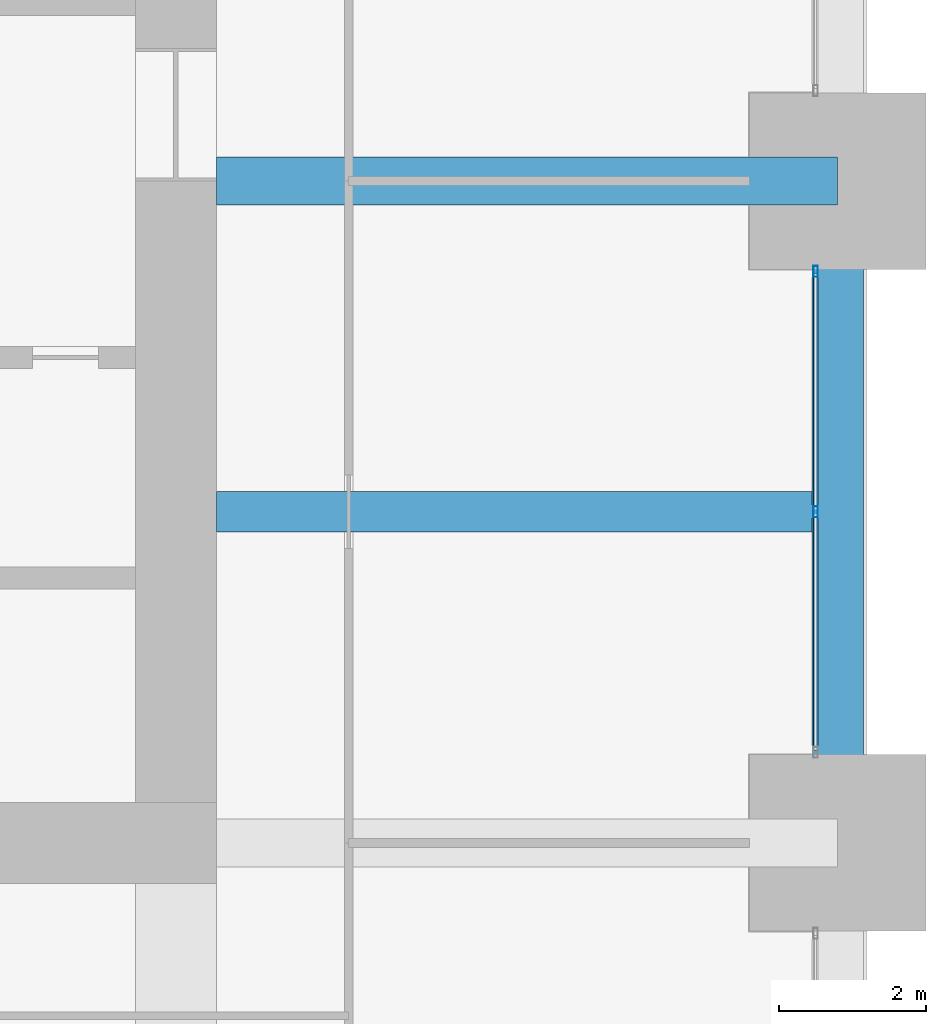
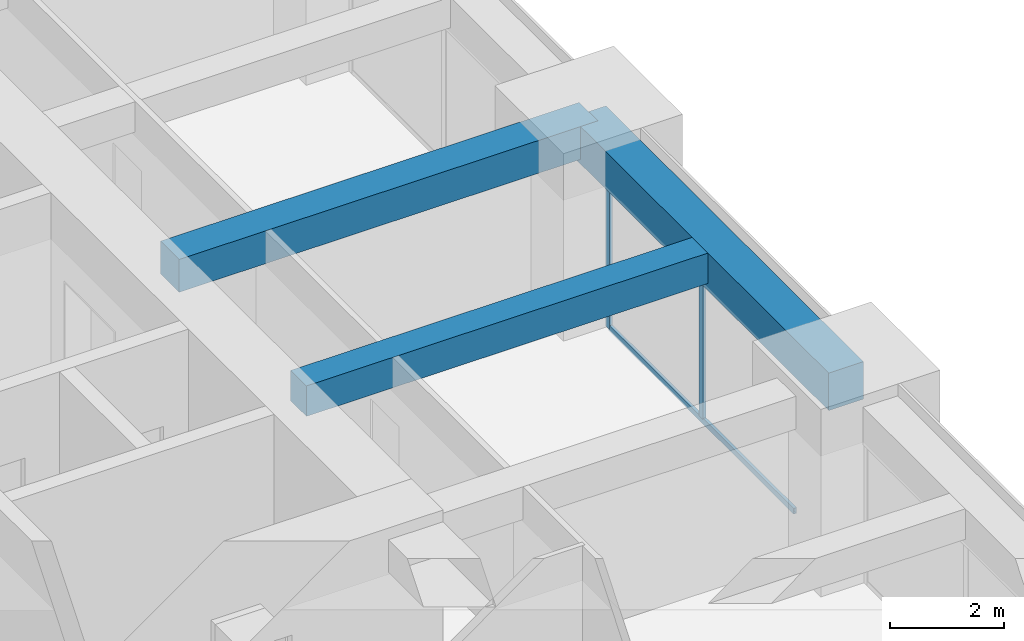
# One storey, part 18 of 34: 3 beams, 3 members, 1 element without a shape of its own.
"""IFC4 building model written with IfcOpenShell, lengths in metres."""

from ifc_helpers import new_model, si_unit, direction, frame, origin, origin_2d, place, context, subcontext, project, spatial, rectangle, hollow_rectangle, extrude, material, material_profile, profile_set, type_object, element, aggregate, save


model = new_model("IFC4")

# Units and contexts
model_context = context("Model", 3, precision=1e-05, world=origin(), true_north=direction((0.0, 1.0)))
body_context = subcontext(model_context, "Body", "Model", "MODEL_VIEW")
ifc_project = project(units=[si_unit("LENGTHUNIT", "METRE"), si_unit("AREAUNIT", "SQUARE_METRE"), si_unit("VOLUMEUNIT", "CUBIC_METRE"), si_unit("PLANEANGLEUNIT", "RADIAN"), si_unit("MASSUNIT", "GRAM", prefix="KILO")], contexts=[model_context])

# Site, building, storey
site_placement = place(None, origin())
site = spatial("IfcSite", under=ifc_project, at=site_placement, CompositionType="ELEMENT")
building_placement = place(site_placement, origin())
building = spatial("IfcBuilding", under=site, at=building_placement, Name="Zorevar Civic Tower", CompositionType="ELEMENT")
storey_placement = place(building_placement, frame((0.0, 0.0, 214.199951171875)))
storey = spatial("IfcBuildingStorey", under=building, at=storey_placement, Name="L52", CompositionType="ELEMENT", Elevation=214.199951171875)

# Beams
ifc_material_1 = material(Name="Concrete C50/60", Category="concrete")
ifc_material_profile_1 = material_profile(ifc_material_1, rectangle(XDim=0.550048828125, YDim=0.64990234375, at=origin_2d()), Name="RC 550x650")
ifc_profile_set_1 = profile_set([ifc_material_profile_1], Name="Concrete C50/60")
beam_type_1 = type_object("IfcBeamType", Name="Beam RC 550x650", PredefinedType="BEAM", material=ifc_profile_set_1)
beam_1_placement = place(storey_placement, frame((45.550048828125, 22.5, 3.425048828125), z_axis=(1.0, 0.0, 0.0), x_axis=(0.0, 1.0, 0.0)))
element("IfcBeam", 1, at=beam_1_placement, inside=storey, type_object=beam_type_1, Name="Secondary beam L53", PredefinedType="BEAM", context=body_context, shape_type="SweptSolid", body=[
    extrude(rectangle(XDim=0.550048828125, YDim=0.64990234375, at=origin_2d()), origin(), (0.0, 0.0, 1.0), 8.099853515625),
])
ifc_material_2 = material(Name="Concrete C50/60", Category="concrete")
ifc_material_profile_2 = material_profile(ifc_material_2, rectangle(XDim=0.64990234375, YDim=0.699951171875, at=origin_2d()), Name="RC 650x700")
ifc_profile_set_2 = profile_set([ifc_material_profile_2], Name="Concrete C50/60")
beam_type_2 = type_object("IfcBeamType", Name="Beam RC 650x700", PredefinedType="BEAM", material=ifc_profile_set_2)
beam_2_placement = place(storey_placement, frame((45.550048828125, 27.0, 3.400146484375), z_axis=(1.0, 0.0, 0.0), x_axis=(0.0, 1.0, 0.0)))
element("IfcBeam", 2, at=beam_2_placement, inside=storey, type_object=beam_type_2, Name="Girder L53", PredefinedType="BEAM", context=body_context, shape_type="SweptSolid", body=[
    extrude(rectangle(XDim=0.64990234375, YDim=0.699951171875, at=origin_2d()), origin(), (0.0, 0.0, 1.0), 8.449951171875),
])

# Curtain wall, members
ifc_material_3 = material(Name="Dark grey solar-control glass in black aluminium frame", Category="aluminium")
curtain_wall_type = type_object("IfcCurtainWallType", Name="Curtain wall CW4 high zone", PredefinedType="NOTDEFINED", material=ifc_material_3)
curtain_wall_placement = place(storey_placement, origin())
curtain_wall = element("IfcCurtainWall", 3, at=curtain_wall_placement, inside=storey, type_object=curtain_wall_type, Name="CW4 L52", PredefinedType="NOTDEFINED")
ifc_material_4 = material(Name="Aluminium, black anodised", Category="aluminium")
ifc_material_profile_3 = material_profile(ifc_material_4, hollow_rectangle(XDim=0.06005859375, YDim=0.14990234375, WallThickness=0.00390625, at=origin_2d()), Name="AL 150x60x4")
ifc_profile_set_3 = profile_set([ifc_material_profile_3], Name="Aluminium, black anodised")
member_type_1 = type_object("IfcMemberType", Name="CW4 mullion AL 150x60x4", PredefinedType="MULLION", material=ifc_profile_set_3)
member_1_placement = place(storey_placement, frame((53.699951171875, 22.5, 0.06005859375), z_axis=(0.0, 0.0, 1.0), x_axis=(-1.0, 0.0, 0.0)))
member_1 = element("IfcMember", 4, at=member_1_placement, type_object=member_type_1, Name="CW4 mullion 2", PredefinedType="MULLION", context=body_context, shape_type="SweptSolid", body=[
    extrude(hollow_rectangle(XDim=0.06005859375, YDim=0.14990234375, WallThickness=0.00390625, at=origin_2d()), origin(), (0.0, 0.0, 1.0), 2.889892578125),
])
member_2_placement = place(storey_placement, frame((53.699951171875, 25.77001953125, 0.0), z_axis=(0.0, 0.0, 1.0), x_axis=(-1.0, 0.0, 0.0)))
member_2 = element("IfcMember", 5, at=member_2_placement, type_object=member_type_1, Name="CW4 mullion 3", PredefinedType="MULLION", context=body_context, shape_type="SweptSolid", body=[
    extrude(hollow_rectangle(XDim=0.06005859375, YDim=0.14990234375, WallThickness=0.00390625, at=origin_2d()), origin(), (0.0, 0.0, 1.0), 2.949951171875),
])
ifc_material_5 = material(Name="Aluminium, black anodised", Category="aluminium")
ifc_material_profile_4 = material_profile(ifc_material_5, hollow_rectangle(XDim=0.06005859375, YDim=0.1201171875, WallThickness=0.0029296875, at=origin_2d()), Name="AL 120x60x3")
ifc_profile_set_4 = profile_set([ifc_material_profile_4], Name="Aluminium, black anodised")
member_type_2 = type_object("IfcMemberType", Name="CW4 transom AL 120x60x3", PredefinedType="USERDEFINED", material=ifc_profile_set_4)
member_3_placement = place(storey_placement, frame((53.699951171875, 19.260009765625, 0.030029296875), z_axis=(0.0, 1.0, 0.0), x_axis=(-1.0, 0.0, 0.0)))
member_3 = element("IfcMember", 6, at=member_3_placement, type_object=member_type_2, Name="CW4 sill transom", ObjectType="TRANSOM", PredefinedType="USERDEFINED", context=body_context, shape_type="SweptSolid", body=[
    extrude(hollow_rectangle(XDim=0.06005859375, YDim=0.1201171875, WallThickness=0.0029296875, at=origin_2d()), origin(), (0.0, 0.0, 1.0), 6.47998046875),
])
aggregate(curtain_wall, [member_1, member_2, member_3])

# Beam
ifc_material_6 = material(Name="Concrete C50/60", Category="concrete")
ifc_material_profile_5 = material_profile(ifc_material_6, rectangle(XDim=0.699951171875, YDim=0.800048828125, at=origin_2d()), Name="RC 700x800")
ifc_profile_set_5 = profile_set([ifc_material_profile_5], Name="Concrete C50/60")
beam_type_3 = type_object("IfcBeamType", Name="Edge beam RC 700x800", PredefinedType="SPANDREL", material=ifc_profile_set_5)
beam_3_placement = place(storey_placement, frame((54.0, 18.0, 3.35009765625), z_axis=(0.0, 1.0, 0.0), x_axis=(-1.0, 0.0, 0.0)))
element("IfcBeam", 7, at=beam_3_placement, inside=storey, type_object=beam_type_3, Name="Edge beam L53", PredefinedType="SPANDREL", context=body_context, shape_type="SweptSolid", body=[
    extrude(rectangle(XDim=0.699951171875, YDim=0.800048828125, at=origin_2d()), origin(), (0.0, 0.0, 1.0), 9.0),
])

save(model, "model.ifc")
